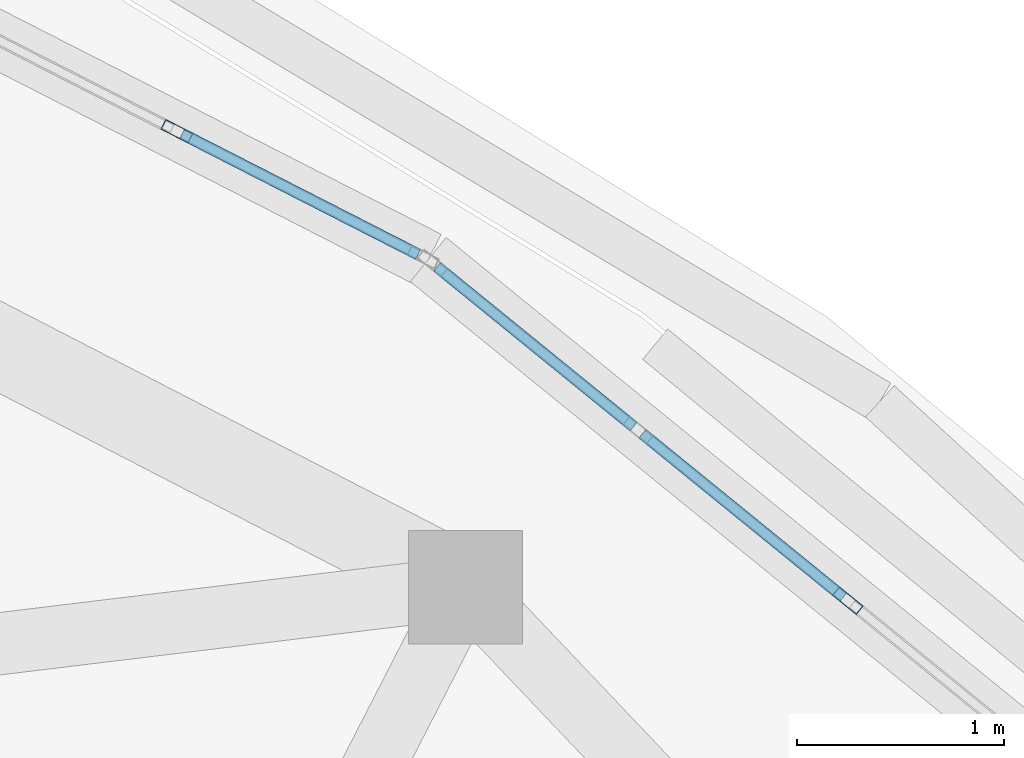
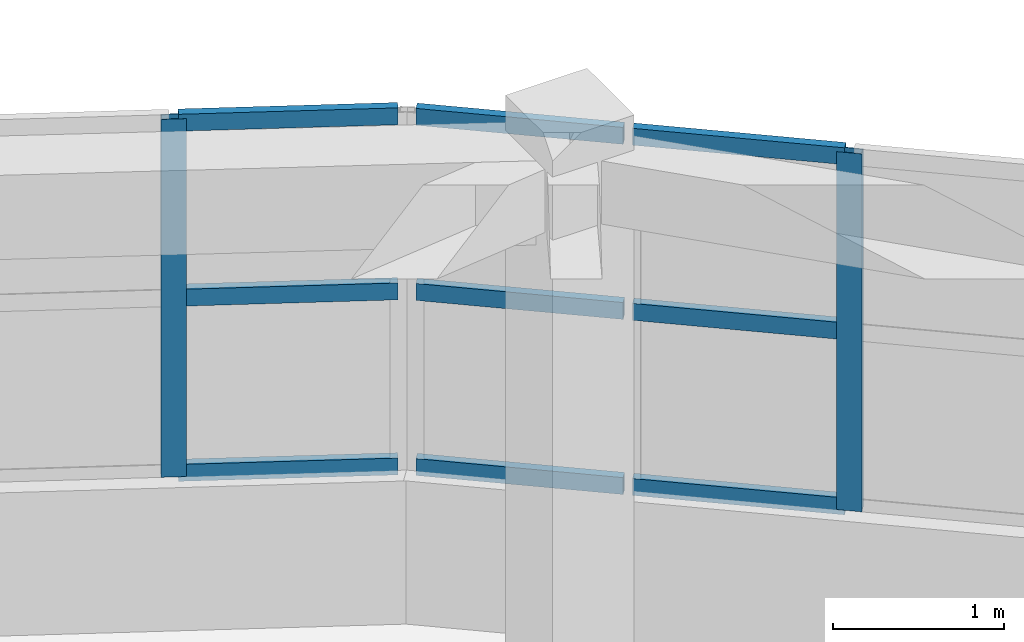
# One storey, part 27 of 46: 11 members, 2 elements without a shape of their own.
"""IFC4 building model written with IfcOpenShell, lengths in metres."""

import ifcopenshell
import ifcopenshell.guid

model = None  # the IFC model being written
_history = None  # IfcOwnerHistory: only IFC2X3 demands one
_inside = {}  # id of a spatial element -> (the spatial element, [elements in it])
_under = {}  # id of a project, library or spatial element -> (it, [spatial elements below it])
_declared = {}  # id of a project -> (the project, [libraries it declares])
_typed = {}  # id of a type object -> (the type object, [elements of that type])
_made_of = {}  # id of a material, layer set ... -> (it, [elements and type objects made of it])


def new_model(schema):
    """Start an empty IFC model of exactly this schema.

    Asked for "IFC4X3", IfcOpenShell would pick the latest addendum, in which some entities
    have other attributes; the version numbers below select the first issue.
    IFC2X3 requires an IfcOwnerHistory on every rooted entity: one is made here for all.
    """
    global model, _history
    if schema == "IFC4X3":
        model = ifcopenshell.file(schema_version=(4, 3, 0, 0))
    else:
        model = ifcopenshell.file(schema=schema)
    _inside.clear()
    _under.clear()
    _declared.clear()
    _typed.clear()
    _made_of.clear()
    _history = None
    if model.schema == "IFC2X3":
        org = make("IfcOrganization", Name="unknown")
        user = make(
            "IfcPersonAndOrganization",
            ThePerson=make("IfcPerson", FamilyName="unknown"),
            TheOrganization=org,
        )
        app = make(
            "IfcApplication",
            ApplicationDeveloper=org,
            Version="unknown",
            ApplicationFullName="unknown",
            ApplicationIdentifier="unknown",
        )
        _history = make(
            "IfcOwnerHistory",
            OwningUser=user,
            OwningApplication=app,
            ChangeAction="ADDED",
            CreationDate=0,
        )
    return model


def make(cls, **values):
    """One entity of the class cls with the attributes given. An attribute that is None is left unset."""
    return model.create_entity(
        cls, **{name: value for name, value in values.items() if value is not None}
    )


def rooted(cls, **values):
    """An entity with a GlobalId (a new one), such as an element, a storey or a relation."""
    return make(cls, GlobalId=ifcopenshell.guid.new(), OwnerHistory=_history, **values)


def si_unit(unit_type, name, prefix=None):
    """IfcSIUnit, for example si_unit("LENGTHUNIT", "METRE", prefix="MILLI")."""
    return make("IfcSIUnit", UnitType=unit_type, Prefix=prefix, Name=name)


def assignment(units):
    """IfcUnitAssignment: the units of a project."""
    return None if units is None else make("IfcUnitAssignment", Units=units)


def point(xyz):
    """IfcCartesianPoint."""
    return None if xyz is None else make("IfcCartesianPoint", Coordinates=xyz)


def direction(xyz):
    """IfcDirection."""
    return None if xyz is None else make("IfcDirection", DirectionRatios=xyz)


def frame(location, z_axis=None, x_axis=None):
    """IfcAxis2Placement3D, a coordinate frame: its origin and axes. An axis left out is left unset."""
    return make(
        "IfcAxis2Placement3D",
        Location=point(location),
        Axis=direction(z_axis),
        RefDirection=direction(x_axis),
    )


def frame_2d(location, x_axis=None):
    """IfcAxis2Placement2D, a coordinate frame in the plane: its origin and x axis."""
    return make(
        "IfcAxis2Placement2D", Location=point(location), RefDirection=direction(x_axis)
    )


def origin():
    """The frame at (0, 0, 0) with its axes left unset."""
    return frame((0.0, 0.0, 0.0))


def origin_2d():
    """The frame at (0, 0) in the plane with its x axis left unset."""
    return frame_2d((0.0, 0.0))


def place(relative_to, where):
    """IfcLocalPlacement: puts the frame where relative to a parent placement (None: the world)."""
    return make(
        "IfcLocalPlacement", PlacementRelTo=relative_to, RelativePlacement=where
    )


def context(
    kind, dimensions, precision=None, world=None, true_north=None, identifier=None
):
    """IfcGeometricRepresentationContext, for example the 3D "Model" context."""
    return make(
        "IfcGeometricRepresentationContext",
        ContextIdentifier=identifier,
        ContextType=kind,
        CoordinateSpaceDimension=dimensions,
        Precision=precision,
        WorldCoordinateSystem=world,
        TrueNorth=true_north,
    )


def subcontext(parent, identifier, kind, view, scale=None):
    """IfcGeometricRepresentationSubContext, for example "Body" below "Model"."""
    return make(
        "IfcGeometricRepresentationSubContext",
        ContextIdentifier=identifier,
        ContextType=kind,
        ParentContext=parent,
        TargetScale=scale,
        TargetView=view,
    )


def project(units=None, contexts=None):
    """IfcProject with its units and contexts."""
    return rooted(
        "IfcProject",
        Name="project",
        RepresentationContexts=contexts,
        UnitsInContext=assignment(units),
    )


def spatial(cls, under=None, at=None, **own):
    """A site, building, storey or space (cls), placed at a placement, below another one or the project."""
    s = rooted(cls, ObjectPlacement=at, **own)
    if under is not None:
        _under.setdefault(under.id(), (under, []))[1].append(s)
    return s


def profile(cls, at=None, kind="AREA", **sizes):
    """A parametric profile (cls). Its sizes go by their IFC names, for example OverallWidth=200.0."""
    return make(cls, ProfileType=kind, Position=at, **sizes)


def hollow_rectangle(**sizes):
    """IfcRectangleHollowProfileDef."""
    return profile("IfcRectangleHollowProfileDef", **sizes)


def extrude(swept, where, along, depth):
    """IfcExtrudedAreaSolid: the profile swept, set in the frame where, extruded along a direction by depth."""
    return make(
        "IfcExtrudedAreaSolid",
        SweptArea=swept,
        Position=where,
        ExtrudedDirection=direction(along),
        Depth=depth,
    )


def shape(context_of_items, identifier, shape_type, items):
    """IfcShapeRepresentation: the items that make up one representation, for example the "Body"."""
    return make(
        "IfcShapeRepresentation",
        ContextOfItems=context_of_items,
        RepresentationIdentifier=identifier,
        RepresentationType=shape_type,
        Items=items,
    )


def material(Name=None, Category=None):
    """IfcMaterial."""
    return make("IfcMaterial", Name=Name, Category=Category)


def layer(
    of_material, thickness, ventilated=None, Name=None, Category=None, Priority=None
):
    """IfcMaterialLayer: one layer of a wall or slab, of a material (None: an air gap)."""
    return make(
        "IfcMaterialLayer",
        Material=of_material,
        LayerThickness=thickness,
        IsVentilated=ventilated,
        Name=Name,
        Category=Category,
        Priority=Priority,
    )


def layer_set(layers, Name=None):
    """IfcMaterialLayerSet."""
    return make("IfcMaterialLayerSet", MaterialLayers=layers, LayerSetName=Name)


def material_profile(
    of_material, cross_section, Name=None, Category=None, Priority=None
):
    """IfcMaterialProfile: a cross section and its material."""
    return make(
        "IfcMaterialProfile",
        Name=Name,
        Material=of_material,
        Profile=cross_section,
        Priority=Priority,
        Category=Category,
    )


def profile_set(profiles, Name=None, composite=None):
    """IfcMaterialProfileSet."""
    return make(
        "IfcMaterialProfileSet",
        Name=Name,
        MaterialProfiles=profiles,
        CompositeProfile=composite,
    )


def made_of(thing, what):
    """Note that an element or type object is made of a material, layer set ...; save() writes the relation."""
    if what is not None:
        _made_of.setdefault(what.id(), (what, []))[1].append(thing)
    return thing


def type_object(cls, material=None, **own):
    """A type object (cls), such as IfcWallType, which elements share."""
    return made_of(rooted(cls, **own), material)


def element(
    cls,
    number,
    at=None,
    inside=None,
    cuts=None,
    type_object=None,
    material=None,
    context=None,
    identifier="Body",
    shape_type=None,
    held_by="IfcProductDefinitionShape",
    body=None,
    shapes=None,
    **own,
):
    """One element of the class cls, such as IfcWall. Its Tag is "e" and its number.

    at: its placement. inside: the storey or other place that contains it. cuts: it is an
    opening in that element (IfcRelVoidsElement). A single representation is given by context,
    identifier, shape_type and body (its items); several are given by shapes. held_by: the class
    of the entity that holds the representations. save() writes the other relations.
    """
    e = rooted(cls, Tag="e%d" % number, ObjectPlacement=at, **own)
    if body is not None:
        shapes = [shape(context, identifier, shape_type, body)]
    if shapes is not None:
        e.Representation = make(held_by, Representations=shapes)
    if inside is not None:
        _inside.setdefault(inside.id(), (inside, []))[1].append(e)
    if cuts is not None:
        rooted(
            "IfcRelVoidsElement", RelatingBuildingElement=cuts, RelatedOpeningElement=e
        )
    if type_object is not None:
        _typed.setdefault(type_object.id(), (type_object, []))[1].append(e)
    return made_of(e, material)


def aggregate(whole, parts):
    """IfcRelAggregates: a whole, such as a stair, and the parts it consists of."""
    return rooted("IfcRelAggregates", RelatingObject=whole, RelatedObjects=parts)


def save(model, path):
    """Write the relations noted so far, then the file.

    IfcRelAggregates (storeys below a building ...), IfcRelContainedInSpatialStructure (elements
    in a storey), IfcRelDefinesByType, IfcRelAssociatesMaterial and IfcRelDeclares: one each for
    every whole, place, type object, material and project.
    """
    for whole, parts in _under.values():
        aggregate(whole, parts)
    for where, things in _inside.values():
        rooted(
            "IfcRelContainedInSpatialStructure",
            RelatedElements=things,
            RelatingStructure=where,
        )
    for kind, things in _typed.values():
        rooted("IfcRelDefinesByType", RelatedObjects=things, RelatingType=kind)
    for what, things in _made_of.values():
        rooted("IfcRelAssociatesMaterial", RelatedObjects=things, RelatingMaterial=what)
    for by, libraries in _declared.values():
        rooted("IfcRelDeclares", RelatingContext=by, RelatedDefinitions=libraries)
    model.write(path)


model = new_model("IFC4")

# Units and contexts
model_context = context("Model", 3, precision=1e-05, world=origin(), true_north=direction((0.0, 1.0)))
body_context = subcontext(model_context, "Body", "Model", "MODEL_VIEW")
ifc_project = project(units=[si_unit("LENGTHUNIT", "METRE"), si_unit("AREAUNIT", "SQUARE_METRE"), si_unit("VOLUMEUNIT", "CUBIC_METRE"), si_unit("PLANEANGLEUNIT", "RADIAN"), si_unit("MASSUNIT", "GRAM", prefix="KILO")], contexts=[model_context])

# Site, building, storey
site_placement = place(None, origin())
site = spatial("IfcSite", under=ifc_project, at=site_placement, CompositionType="ELEMENT")
building_placement = place(site_placement, origin())
building = spatial("IfcBuilding", under=site, at=building_placement, Name="Pelvatis Terrace Science Centre", CompositionType="ELEMENT")
storey_placement = place(building_placement, frame((0.0, 0.0, 19.800048828125)))
storey = spatial("IfcBuildingStorey", under=building, at=storey_placement, Name="L04", CompositionType="ELEMENT", Elevation=19.800048828125)

# Curtain wall, member
ifc_material_1 = material(Name="Bronze-anodised aluminium and laminated glass", Category="aluminium")
ifc_layer = layer(ifc_material_1, 0.14990234375)
ifc_layer_set = layer_set([ifc_layer], Name="Bronze-anodised aluminium and laminated glass")
curtain_wall_type = type_object("IfcCurtainWallType", Name="CW-PASSAGE-C", PredefinedType="NOTDEFINED", material=ifc_layer_set)
curtain_wall_1_placement = place(storey_placement, origin())
curtain_wall_1 = element("IfcCurtainWall", 1, at=curtain_wall_1_placement, inside=storey, type_object=curtain_wall_type, Name="Ribbon curtain wall CW-214 (L04)", PredefinedType="NOTDEFINED")
ifc_material_2 = material(Name="Bronze-anodised aluminium 6063-T6", Category="aluminium")
ifc_material_profile_1 = material_profile(ifc_material_2, hollow_rectangle(XDim=0.054931640625, YDim=0.14990234375, WallThickness=0.00390625, at=origin_2d()), Name="ALU-MUL 55x150")
ifc_profile_set_1 = profile_set([ifc_material_profile_1], Name="Bronze-anodised aluminium 6063-T6")
member_type_1 = type_object("IfcMemberType", Name="CWM-55x150", PredefinedType="MULLION", material=ifc_profile_set_1)
member_1_placement = place(storey_placement, frame((127.623291015625, 99.25048828125, 1.02001953125), z_axis=(0.0, 0.0, 1.0), x_axis=(-0.630757324963, -0.775980152456, 0.0)))
member_1 = element("IfcMember", 2, at=member_1_placement, type_object=member_type_1, Name="CW-214 mullion 3", PredefinedType="MULLION", context=body_context, shape_type="SweptSolid", body=[
    extrude(hollow_rectangle(XDim=0.054931640625, YDim=0.14990234375, WallThickness=0.00390625, at=origin_2d()), origin(), (0.0, 0.0, 1.0), 2.550048828125),
])

curtain_wall_2_placement = place(storey_placement, origin())
curtain_wall_2 = element("IfcCurtainWall", 3, at=curtain_wall_2_placement, inside=storey, type_object=curtain_wall_type, Name="Ribbon curtain wall CW-215 (L04)", PredefinedType="NOTDEFINED")
member_2_placement = place(storey_placement, frame((124.376708984375, 101.522216796875, 1.02001953125), z_axis=(0.0, 0.0, 1.0), x_axis=(-0.454858737992, -0.890563601587, 0.0)))
member_2 = element("IfcMember", 4, at=member_2_placement, type_object=member_type_1, Name="CW-215 mullion 2", PredefinedType="MULLION", context=body_context, shape_type="SweptSolid", body=[
    extrude(hollow_rectangle(XDim=0.054931640625, YDim=0.14990234375, WallThickness=0.00390625, at=origin_2d()), origin(), (0.0, 0.0, 1.0), 2.550048828125),
])

# Member
ifc_material_3 = material(Name="Bronze-anodised aluminium 6063-T6", Category="aluminium")
ifc_material_profile_2 = material_profile(ifc_material_3, hollow_rectangle(XDim=0.054931640625, YDim=0.1201171875, WallThickness=0.00341796875, at=origin_2d()), Name="ALU-TRN 55x120")
ifc_profile_set_2 = profile_set([ifc_material_profile_2], Name="Bronze-anodised aluminium 6063-T6")
member_type_2 = type_object("IfcMemberType", Name="CWT-55x120", PredefinedType="USERDEFINED", material=ifc_profile_set_2)
member_3_placement = place(storey_placement, frame((127.601806640625, 99.267822265625, 1.04736328125), z_axis=(-0.775923329106, 0.630827224642, 0.0), x_axis=(-0.630827224642, -0.775923329106, 0.0)))
member_3 = element("IfcMember", 5, at=member_3_placement, type_object=member_type_2, Name="CW-214 transom 3.1", ObjectType="TRANSOM", PredefinedType="USERDEFINED", context=body_context, shape_type="SweptSolid", body=[
    extrude(hollow_rectangle(XDim=0.054931640625, YDim=0.1201171875, WallThickness=0.00341796875, at=origin_2d()), origin(), (0.0, 0.0, 1.0), 1.253662109375),
])

member_4_placement = place(storey_placement, frame((127.601806640625, 99.267822265625, 2.294921875), z_axis=(-0.775923329106, 0.630827224642, 0.0), x_axis=(-0.630827224642, -0.775923329106, 0.0)))
member_4 = element("IfcMember", 6, at=member_4_placement, type_object=member_type_2, Name="CW-214 transom 3.2", ObjectType="TRANSOM", PredefinedType="USERDEFINED", context=body_context, shape_type="SweptSolid", body=[
    extrude(hollow_rectangle(XDim=0.054931640625, YDim=0.1201171875, WallThickness=0.00341796875, at=origin_2d()), origin(), (0.0, 0.0, 1.0), 1.253662109375),
])

member_5_placement = place(storey_placement, frame((127.601806640625, 99.267822265625, 3.54248046875), z_axis=(-0.775923329106, 0.630827224642, 0.0), x_axis=(-0.630827224642, -0.775923329106, 0.0)))
member_5 = element("IfcMember", 7, at=member_5_placement, type_object=member_type_2, Name="CW-214 transom 3.3", ObjectType="TRANSOM", PredefinedType="USERDEFINED", context=body_context, shape_type="SweptSolid", body=[
    extrude(hollow_rectangle(XDim=0.054931640625, YDim=0.1201171875, WallThickness=0.00341796875, at=origin_2d()), origin(), (0.0, 0.0, 1.0), 1.253662109375),
])

member_6_placement = place(storey_placement, frame((126.58642578125, 100.09326171875, 1.04736328125), z_axis=(-0.775967764769, 0.630772564431, 0.0), x_axis=(-0.630772564431, -0.775967764769, 0.0)))
member_6 = element("IfcMember", 8, at=member_6_placement, type_object=member_type_2, Name="CW-214 transom 4.1", ObjectType="TRANSOM", PredefinedType="USERDEFINED", context=body_context, shape_type="SweptSolid", body=[
    extrude(hollow_rectangle(XDim=0.054931640625, YDim=0.1201171875, WallThickness=0.00341796875, at=origin_2d()), origin(), (0.0, 0.0, 1.0), 1.225830078125),
])

member_7_placement = place(storey_placement, frame((126.58642578125, 100.09326171875, 2.294921875), z_axis=(-0.775967764769, 0.630772564431, 0.0), x_axis=(-0.630772564431, -0.775967764769, 0.0)))
member_7 = element("IfcMember", 9, at=member_7_placement, type_object=member_type_2, Name="CW-214 transom 4.2", ObjectType="TRANSOM", PredefinedType="USERDEFINED", context=body_context, shape_type="SweptSolid", body=[
    extrude(hollow_rectangle(XDim=0.054931640625, YDim=0.1201171875, WallThickness=0.00341796875, at=origin_2d()), origin(), (0.0, 0.0, 1.0), 1.225830078125),
])

member_8_placement = place(storey_placement, frame((126.58642578125, 100.09326171875, 3.54248046875), z_axis=(-0.775967764769, 0.630772564431, 0.0), x_axis=(-0.630772564431, -0.775967764769, 0.0)))
member_8 = element("IfcMember", 10, at=member_8_placement, type_object=member_type_2, Name="CW-214 transom 4.3", ObjectType="TRANSOM", PredefinedType="USERDEFINED", context=body_context, shape_type="SweptSolid", body=[
    extrude(hollow_rectangle(XDim=0.054931640625, YDim=0.1201171875, WallThickness=0.00341796875, at=origin_2d()), origin(), (0.0, 0.0, 1.0), 1.225830078125),
])

aggregate(curtain_wall_1, [member_1, member_3, member_4, member_5, member_6, member_7, member_8])

member_9_placement = place(storey_placement, frame((125.54345703125, 100.92626953125, 1.04736328125), z_axis=(-0.89054949215, 0.454886361667, 0.0), x_axis=(-0.454886361667, -0.89054949215, 0.0)))
member_9 = element("IfcMember", 11, at=member_9_placement, type_object=member_type_2, Name="CW-215 transom 1.1", ObjectType="TRANSOM", PredefinedType="USERDEFINED", context=body_context, shape_type="SweptSolid", body=[
    extrude(hollow_rectangle(XDim=0.054931640625, YDim=0.1201171875, WallThickness=0.00341796875, at=origin_2d()), origin(), (0.0, 0.0, 1.0), 1.28271484375),
])

member_10_placement = place(storey_placement, frame((125.54345703125, 100.92626953125, 2.294921875), z_axis=(-0.89054949215, 0.454886361667, 0.0), x_axis=(-0.454886361667, -0.89054949215, 0.0)))
member_10 = element("IfcMember", 12, at=member_10_placement, type_object=member_type_2, Name="CW-215 transom 1.2", ObjectType="TRANSOM", PredefinedType="USERDEFINED", context=body_context, shape_type="SweptSolid", body=[
    extrude(hollow_rectangle(XDim=0.054931640625, YDim=0.1201171875, WallThickness=0.00341796875, at=origin_2d()), origin(), (0.0, 0.0, 1.0), 1.28271484375),
])

member_11_placement = place(storey_placement, frame((125.54345703125, 100.92626953125, 3.54248046875), z_axis=(-0.89054949215, 0.454886361667, 0.0), x_axis=(-0.454886361667, -0.89054949215, 0.0)))
member_11 = element("IfcMember", 13, at=member_11_placement, type_object=member_type_2, Name="CW-215 transom 1.3", ObjectType="TRANSOM", PredefinedType="USERDEFINED", context=body_context, shape_type="SweptSolid", body=[
    extrude(hollow_rectangle(XDim=0.054931640625, YDim=0.1201171875, WallThickness=0.00341796875, at=origin_2d()), origin(), (0.0, 0.0, 1.0), 1.28271484375),
])

aggregate(curtain_wall_2, [member_2, member_9, member_10, member_11])

save(model, "model.ifc")
